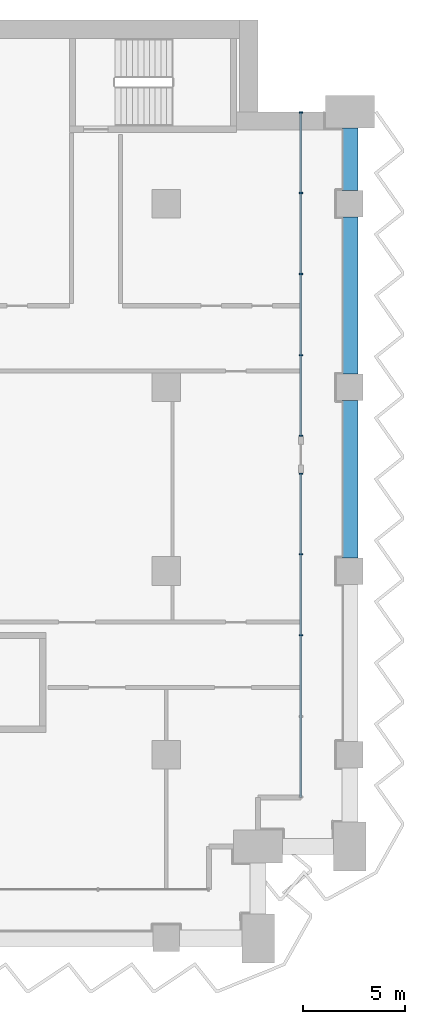
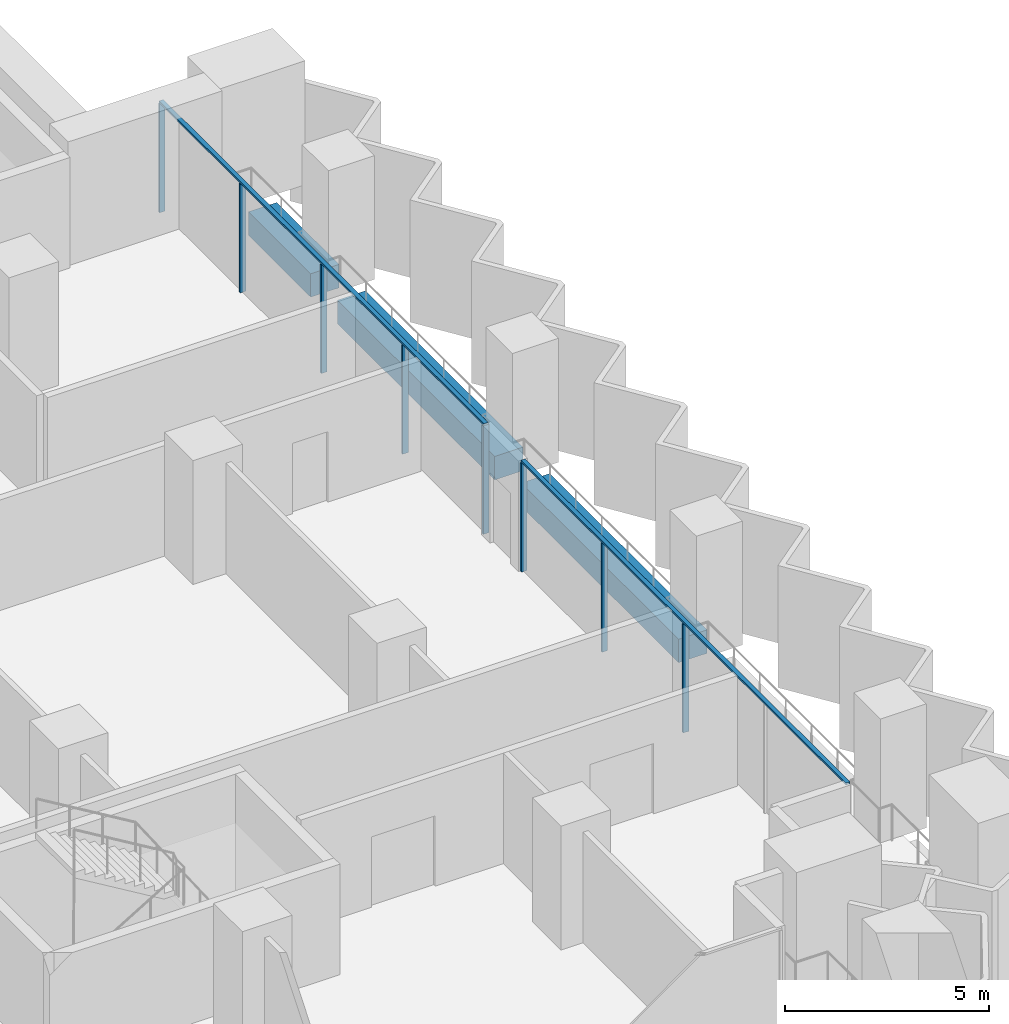
# One storey, part 7 of 28: 10 members, 3 beams, 2 elements without a shape of their own.
"""IFC4 building model written with IfcOpenShell, lengths in metres."""

from ifc_helpers import new_model, si_unit, direction, frame, origin, origin_2d, place, context, subcontext, project, spatial, rectangle, extrude, material, material_profile, profile_set, type_object, element, aggregate, save


model = new_model("IFC4")

# Units and contexts
model_context = context("Model", 3, precision=1e-05, world=origin(), true_north=direction((0.0, 1.0)))
body_context = subcontext(model_context, "Body", "Model", "MODEL_VIEW")
ifc_project = project(units=[si_unit("LENGTHUNIT", "METRE"), si_unit("AREAUNIT", "SQUARE_METRE"), si_unit("VOLUMEUNIT", "CUBIC_METRE"), si_unit("PLANEANGLEUNIT", "RADIAN"), si_unit("MASSUNIT", "GRAM", prefix="KILO")], contexts=[model_context])

# Site, building, storey
site_placement = place(None, origin())
site = spatial("IfcSite", under=ifc_project, at=site_placement, CompositionType="ELEMENT")
building_placement = place(site_placement, origin())
building = spatial("IfcBuilding", under=site, at=building_placement, Name="Hunhe Ridgeline Campus", CompositionType="ELEMENT")
storey_placement = place(building_placement, frame((0.0, 0.0, 61.699951171875)))
storey = spatial("IfcBuildingStorey", under=building, at=storey_placement, Name="L14", CompositionType="ELEMENT", Elevation=61.699951171875)

# Curtain wall, members
ifc_material_1 = material(Name="Aluminium 6063", Category="aluminium")
curtain_wall_type = type_object("IfcCurtainWallType", Name="Curtain wall CW-1", PredefinedType="NOTDEFINED", material=ifc_material_1)
curtain_wall_1_placement = place(storey_placement, origin())
curtain_wall_1 = element("IfcCurtainWall", 1, at=curtain_wall_1_placement, inside=storey, type_object=curtain_wall_type, Name="Curtain wall 15", PredefinedType="NOTDEFINED")
ifc_material_profile_1 = material_profile(ifc_material_1, rectangle(XDim=0.159912109375, YDim=0.06005859375, at=origin_2d()))
ifc_profile_set_1 = profile_set([ifc_material_profile_1], Name="Aluminium 6063")
member_type_1 = type_object("IfcMemberType", Name="CW-1 aluminium mullion", PredefinedType="MULLION", material=ifc_profile_set_1)
member_1_placement = place(storey_placement, frame((96.59912109375, 68.850830078125, 0.0), z_axis=(0.0, 0.0, 1.0), x_axis=(-1.0, 0.0, 0.0)))
member_1 = element("IfcMember", 2, at=member_1_placement, type_object=member_type_1, Name="CW-1 mullion 3", PredefinedType="MULLION", context=body_context, shape_type="SweptSolid", body=[
    extrude(rectangle(XDim=0.159912109375, YDim=0.06005859375, at=origin_2d()), origin(), (0.0, 0.0, 1.0), 3.239990234375),
])
member_2_placement = place(storey_placement, frame((96.59912109375, 72.82568359375, 0.0), z_axis=(0.0, 0.0, 1.0), x_axis=(-1.0, 0.0, 0.0)))
member_2 = element("IfcMember", 3, at=member_2_placement, type_object=member_type_1, Name="CW-1 mullion 4", PredefinedType="MULLION", context=body_context, shape_type="SweptSolid", body=[
    extrude(rectangle(XDim=0.159912109375, YDim=0.06005859375, at=origin_2d()), origin(), (0.0, 0.0, 1.0), 3.239990234375),
])
member_3_placement = place(storey_placement, frame((96.59912109375, 76.7705078125, 0.0), z_axis=(0.0, 0.0, 1.0), x_axis=(-1.0, 0.0, 0.0)))
member_3 = element("IfcMember", 4, at=member_3_placement, type_object=member_type_1, Name="CW-1 mullion 5", PredefinedType="MULLION", context=body_context, shape_type="SweptSolid", body=[
    extrude(rectangle(XDim=0.159912109375, YDim=0.06005859375, at=origin_2d()), origin(), (0.0, 0.0, 1.0), 3.239990234375),
])

curtain_wall_2_placement = place(storey_placement, origin())
curtain_wall_2 = element("IfcCurtainWall", 5, at=curtain_wall_2_placement, inside=storey, type_object=curtain_wall_type, Name="Curtain wall 16", PredefinedType="NOTDEFINED")
member_4_placement = place(storey_placement, frame((96.59912109375, 78.630615234375, 0.0), z_axis=(0.0, 0.0, 1.0), x_axis=(-1.0, 0.0, 0.0)))
member_4 = element("IfcMember", 6, at=member_4_placement, type_object=member_type_1, Name="CW-1 mullion 1", PredefinedType="MULLION", context=body_context, shape_type="SweptSolid", body=[
    extrude(rectangle(XDim=0.159912109375, YDim=0.06005859375, at=origin_2d()), origin(), (0.0, 0.0, 1.0), 3.239990234375),
])
member_5_placement = place(storey_placement, frame((96.59912109375, 82.575439453125, 0.0), z_axis=(0.0, 0.0, 1.0), x_axis=(-1.0, 0.0, 0.0)))
member_5 = element("IfcMember", 7, at=member_5_placement, type_object=member_type_1, Name="CW-1 mullion 2", PredefinedType="MULLION", context=body_context, shape_type="SweptSolid", body=[
    extrude(rectangle(XDim=0.159912109375, YDim=0.06005859375, at=origin_2d()), origin(), (0.0, 0.0, 1.0), 3.239990234375),
])
member_6_placement = place(storey_placement, frame((96.59912109375, 86.55029296875, 0.0), z_axis=(0.0, 0.0, 1.0), x_axis=(-1.0, 0.0, 0.0)))
member_6 = element("IfcMember", 8, at=member_6_placement, type_object=member_type_1, Name="CW-1 mullion 3", PredefinedType="MULLION", context=body_context, shape_type="SweptSolid", body=[
    extrude(rectangle(XDim=0.159912109375, YDim=0.06005859375, at=origin_2d()), origin(), (0.0, 0.0, 1.0), 3.239990234375),
])
member_7_placement = place(storey_placement, frame((96.59912109375, 90.525146484375, 0.0), z_axis=(0.0, 0.0, 1.0), x_axis=(-1.0, 0.0, 0.0)))
member_7 = element("IfcMember", 9, at=member_7_placement, type_object=member_type_1, Name="CW-1 mullion 4", PredefinedType="MULLION", context=body_context, shape_type="SweptSolid", body=[
    extrude(rectangle(XDim=0.159912109375, YDim=0.06005859375, at=origin_2d()), origin(), (0.0, 0.0, 1.0), 3.239990234375),
])
member_8_placement = place(storey_placement, frame((96.59912109375, 94.469970703125, 0.0), z_axis=(0.0, 0.0, 1.0), x_axis=(-1.0, 0.0, 0.0)))
member_8 = element("IfcMember", 10, at=member_8_placement, type_object=member_type_1, Name="CW-1 mullion 5", PredefinedType="MULLION", context=body_context, shape_type="SweptSolid", body=[
    extrude(rectangle(XDim=0.159912109375, YDim=0.06005859375, at=origin_2d()), origin(), (0.0, 0.0, 1.0), 3.239990234375),
])

# Member
ifc_material_profile_2 = material_profile(ifc_material_1, rectangle(XDim=0.1201171875, YDim=0.06005859375, at=origin_2d()))
ifc_profile_set_2 = profile_set([ifc_material_profile_2], Name="Aluminium 6063")
member_type_2 = type_object("IfcMemberType", Name="CW-1 aluminium transom", PredefinedType="USERDEFINED", material=ifc_profile_set_2)
member_9_placement = place(storey_placement, frame((96.59912109375, 60.90087890625, 3.27001953125), z_axis=(0.0, 1.0, 0.0), x_axis=(-1.0, 0.0, 0.0)))
member_9 = element("IfcMember", 11, at=member_9_placement, type_object=member_type_2, Name="CW-1 transom 1", ObjectType="TRANSOM", PredefinedType="USERDEFINED", context=body_context, shape_type="SweptSolid", body=[
    extrude(rectangle(XDim=0.1201171875, YDim=0.06005859375, at=origin_2d()), origin(), (0.0, 0.0, 1.0), 15.899658203125),
])

aggregate(curtain_wall_1, [member_9, member_1, member_2, member_3])

member_10_placement = place(storey_placement, frame((96.59912109375, 78.6005859375, 3.27001953125), z_axis=(0.0, 1.0, 0.0), x_axis=(-1.0, 0.0, 0.0)))
member_10 = element("IfcMember", 12, at=member_10_placement, type_object=member_type_2, Name="CW-1 transom 1", ObjectType="TRANSOM", PredefinedType="USERDEFINED", context=body_context, shape_type="SweptSolid", body=[
    extrude(rectangle(XDim=0.1201171875, YDim=0.06005859375, at=origin_2d()), origin(), (0.0, 0.0, 1.0), 15.8994140625),
])

aggregate(curtain_wall_2, [member_10, member_4, member_5, member_6, member_7, member_8])

# Beams
ifc_material_2 = material(Name="Concrete C60", Category="concrete")
ifc_material_profile_3 = material_profile(ifc_material_2, rectangle(XDim=0.800048828125, YDim=0.699951171875, at=origin_2d()))
ifc_profile_set_3 = profile_set([ifc_material_profile_3], Name="Concrete C60")
beam_type = type_object("IfcBeamType", Name="RC spandrel beam 800x700 Concrete C60", PredefinedType="SPANDREL", material=ifc_profile_set_3)
for number, where, z_axis, x_axis, name in (
    (13, (99.0, 72.64990234375, -0.599853515625), (0.0, 1.0, 0.0), (-1.0, 0.0, 0.0), "Spandrel beam B1-22 L14"),
    (14, (99.0, 81.64990234375, -0.599853515625), (0.0, 1.0, 0.0), (-1.0, 0.0, 0.0), "Spandrel beam B1-23 L14"),
):
    element("IfcBeam", number, at=place(storey_placement, frame(where, z_axis=z_axis, x_axis=x_axis)), inside=storey, type_object=beam_type, Name=name, PredefinedType="SPANDREL", context=body_context, shape_type="SweptSolid", body=[
        extrude(rectangle(XDim=0.800048828125, YDim=0.699951171875, at=origin_2d()), origin(), (0.0, 0.0, 1.0), 7.7001953125),
    ])
beam_placement = place(storey_placement, frame((99.0, 90.64990234375, -0.599853515625), z_axis=(0.0, 1.0, 0.0), x_axis=(-1.0, 0.0, 0.0)))
element("IfcBeam", 15, at=beam_placement, inside=storey, type_object=beam_type, Name="Spandrel beam B1-24 L14", PredefinedType="SPANDREL", context=body_context, shape_type="SweptSolid", body=[
    extrude(rectangle(XDim=0.800048828125, YDim=0.699951171875, at=origin_2d()), origin(), (0.0, 0.0, 1.0), 3.050048828125),
])

save(model, "model.ifc")
